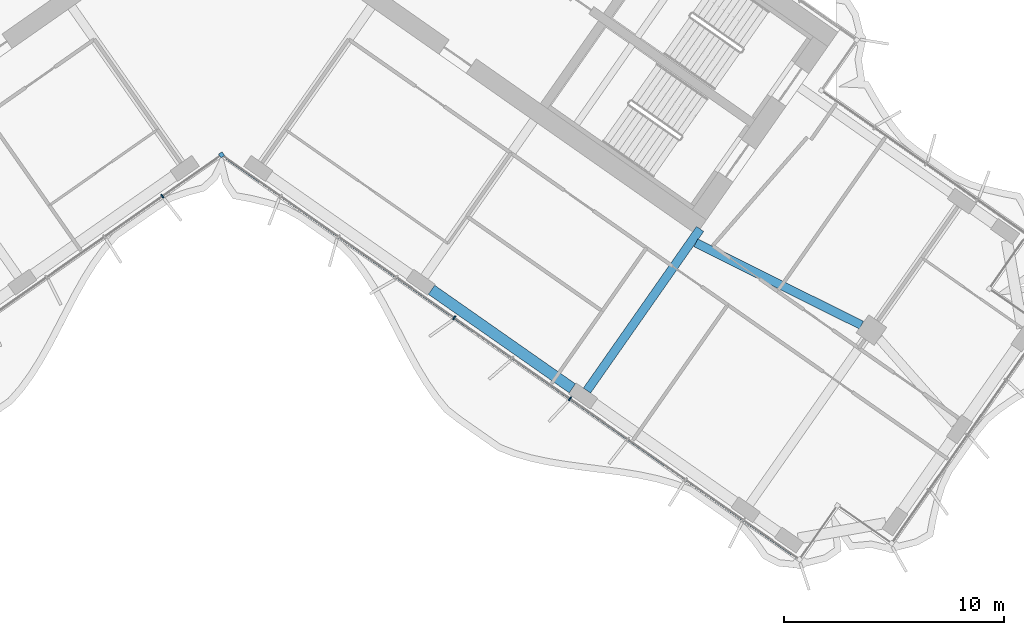
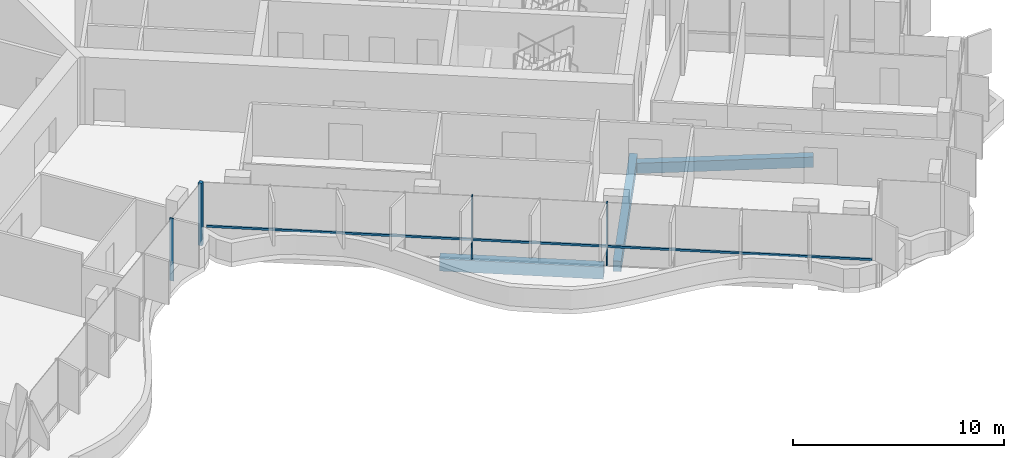
# One storey, part 6 of 23: 5 members, 3 beams, 1 element without a shape of its own.
"""IFC4 building model written with IfcOpenShell, lengths in metres."""

from ifc_helpers import new_model, si_unit, direction, frame, origin, origin_2d, place, context, subcontext, project, spatial, rectangle, extrude, material, material_profile, profile_set, type_object, element, aggregate, save


model = new_model("IFC4")

# Units and contexts
model_context = context("Model", 3, precision=1e-05, world=origin(), true_north=direction((0.0, 1.0)))
body_context = subcontext(model_context, "Body", "Model", "MODEL_VIEW")
ifc_project = project(units=[si_unit("LENGTHUNIT", "METRE"), si_unit("AREAUNIT", "SQUARE_METRE"), si_unit("VOLUMEUNIT", "CUBIC_METRE"), si_unit("PLANEANGLEUNIT", "RADIAN"), si_unit("MASSUNIT", "GRAM", prefix="KILO")], contexts=[model_context])

# Site, building, storey
site_placement = place(None, origin())
site = spatial("IfcSite", under=ifc_project, at=site_placement, CompositionType="ELEMENT")
building_placement = place(site_placement, origin())
building = spatial("IfcBuilding", under=site, at=building_placement, Name="Tel Ilan Convention Tower", CompositionType="ELEMENT")
storey_placement = place(building_placement, frame((0.0, 0.0, 174.89990234375)))
storey = spatial("IfcBuildingStorey", under=building, at=storey_placement, Name="L40", CompositionType="ELEMENT", Elevation=174.89990234375)

# Beams
ifc_material_1 = material(Name="Concrete C40/50", Category="concrete")
ifc_material_profile_1 = material_profile(ifc_material_1, rectangle(XDim=0.39990234375, YDim=0.60009765625, at=origin_2d()), Name="RC 400x600")
ifc_profile_set_1 = profile_set([ifc_material_profile_1], Name="Concrete C40/50")
beam_type_1 = type_object("IfcBeamType", Name="Beam RC 400x600 Concrete C40/50", PredefinedType="BEAM", material=ifc_profile_set_1)
beam_1_placement = place(storey_placement, frame((16.58203125, -23.391357421875, -0.579833984375), z_axis=(0.573584999642, 0.819146048141, 0.0), x_axis=(-0.819146048141, 0.573584999642, 0.0)))
element("IfcBeam", 1, at=beam_1_placement, inside=storey, type_object=beam_type_1, Name="L40 beam E-E-F3-core", PredefinedType="BEAM", context=body_context, shape_type="SweptSolid", body=[
    extrude(rectangle(XDim=0.39990234375, YDim=0.60009765625, at=origin_2d()), origin(), (0.0, 0.0, 1.0), 8.949951171875),
])
beam_2_placement = place(storey_placement, frame((21.52099609375, -16.686279296875, -0.579833984375), z_axis=(0.895402365524, -0.445257907076, 0.0), x_axis=(0.445257907076, 0.895402365524, 0.0)))
element("IfcBeam", 2, at=beam_2_placement, inside=storey, type_object=beam_type_1, Name="L40 beam E-core-E-M4", PredefinedType="BEAM", context=body_context, shape_type="SweptSolid", body=[
    extrude(rectangle(XDim=0.39990234375, YDim=0.60009765625, at=origin_2d()), origin(), (0.0, 0.0, 1.0), 8.3935546875),
])
ifc_material_2 = material(Name="Concrete C40/50", Category="concrete")
ifc_material_profile_2 = material_profile(ifc_material_2, rectangle(XDim=0.5, YDim=0.699951171875, at=origin_2d()), Name="RC 500x700")
ifc_profile_set_2 = profile_set([ifc_material_profile_2], Name="Concrete C40/50")
beam_type_2 = type_object("IfcBeamType", Name="Beam RC 500x700 Concrete C40/50", PredefinedType="BEAM", material=ifc_profile_set_2)
beam_3_placement = place(storey_placement, frame((9.529052734375, -18.819091796875, -0.6298828125), z_axis=(0.819153977895, -0.573573674866, 0.0), x_axis=(0.573573674866, 0.819153977895, 0.0)))
element("IfcBeam", 3, at=beam_3_placement, inside=storey, type_object=beam_type_2, Name="L40 beam E-E-F2-E-F3", PredefinedType="BEAM", context=body_context, shape_type="SweptSolid", body=[
    extrude(rectangle(XDim=0.5, YDim=0.699951171875, at=origin_2d()), origin(), (0.0, 0.0, 1.0), 7.800048828125),
])

# Curtain wall, members
ifc_material_3 = material(Name="Aluminium, bronze anodised", Category="aluminium")
curtain_wall_type = type_object("IfcCurtainWallType", Name="CW4 STICK CURTAIN WALL, OFFICE TINTED GLASS", PredefinedType="NOTDEFINED", material=ifc_material_3)
curtain_wall_placement = place(storey_placement, origin())
curtain_wall = element("IfcCurtainWall", 4, at=curtain_wall_placement, inside=storey, type_object=curtain_wall_type, Name="Curtain wall CW4-31.02", PredefinedType="NOTDEFINED")
ifc_material_4 = material(Name="Aluminium, bronze anodised", Category="aluminium")
ifc_material_profile_3 = material_profile(ifc_material_4, rectangle(XDim=0.199951171875, YDim=0.199951171875, at=origin_2d()), Name="CW CORNER MULLION 200x200")
ifc_profile_set_3 = profile_set([ifc_material_profile_3], Name="Aluminium, bronze anodised")
member_type_1 = type_object("IfcMemberType", Name="CW CORNER MULLION 200x200", PredefinedType="MULLION", material=ifc_profile_set_3)
member_1_placement = place(storey_placement, frame((0.0, -12.696044921875, 0.0), z_axis=(0.0, 0.0, 1.0), x_axis=(0.819152044289, 0.573576436351, 0.0)))
member_1 = element("IfcMember", 5, at=member_1_placement, type_object=member_type_1, Name="Corner mullion", PredefinedType="MULLION", context=body_context, shape_type="SweptSolid", body=[
    extrude(rectangle(XDim=0.199951171875, YDim=0.199951171875, at=origin_2d()), origin(), (0.0, 0.0, 1.0), 3.6201171875),
])
ifc_material_5 = material(Name="Aluminium, bronze anodised", Category="aluminium")
ifc_material_profile_4 = material_profile(ifc_material_5, rectangle(XDim=0.06005859375, YDim=0.199951171875, at=origin_2d()), Name="CW MULLION 60x200")
ifc_profile_set_4 = profile_set([ifc_material_profile_4], Name="Aluminium, bronze anodised")
member_type_2 = type_object("IfcMemberType", Name="CW MULLION 60x200", PredefinedType="MULLION", material=ifc_profile_set_4)
member_2_placement = place(storey_placement, frame((-2.6826171875, -14.574462890625, 0.0), z_axis=(0.0, 0.0, 1.0), x_axis=(0.819152044289, 0.573576436351, 0.0)))
member_2 = element("IfcMember", 6, at=member_2_placement, type_object=member_type_2, Name="Mullion", PredefinedType="MULLION", context=body_context, shape_type="SweptSolid", body=[
    extrude(rectangle(XDim=0.06005859375, YDim=0.199951171875, at=origin_2d()), origin(), (0.0, 0.0, 1.0), 3.6201171875),
])
member_3_placement = place(storey_placement, frame((10.55810546875, -20.0888671875, 0.0), z_axis=(0.0, 0.0, 1.0), x_axis=(0.819152044289, -0.573576436351, 0.0)))
member_3 = element("IfcMember", 7, at=member_3_placement, type_object=member_type_2, Name="Mullion", PredefinedType="MULLION", context=body_context, shape_type="SweptSolid", body=[
    extrude(rectangle(XDim=0.06005859375, YDim=0.199951171875, at=origin_2d()), origin(), (0.0, 0.0, 1.0), 3.6201171875),
])
member_4_placement = place(storey_placement, frame((15.80859375, -23.765380859375, 0.0), z_axis=(0.0, 0.0, 1.0), x_axis=(0.819152044289, -0.573576436351, 0.0)))
member_4 = element("IfcMember", 8, at=member_4_placement, type_object=member_type_2, Name="Mullion", PredefinedType="MULLION", context=body_context, shape_type="SweptSolid", body=[
    extrude(rectangle(XDim=0.06005859375, YDim=0.199951171875, at=origin_2d()), origin(), (0.0, 0.0, 1.0), 3.6201171875),
])
ifc_material_6 = material(Name="Aluminium, bronze anodised", Category="aluminium")
ifc_material_profile_5 = material_profile(ifc_material_6, rectangle(XDim=0.10009765625, YDim=0.1201171875, at=origin_2d()), Name="CW TRANSOM 100x120")
ifc_profile_set_5 = profile_set([ifc_material_profile_5], Name="Aluminium, bronze anodised")
member_type_3 = type_object("IfcMemberType", Name="CW TRANSOM 100x120", PredefinedType="USERDEFINED", material=ifc_profile_set_5)
member_5_placement = place(storey_placement, frame((0.22119140625, -12.850830078125, 1.10009765625), z_axis=(0.819149281128, -0.573580382534, 0.0), x_axis=(0.573580382534, 0.819149281128, 0.0)))
member_5 = element("IfcMember", 9, at=member_5_placement, type_object=member_type_3, Name="Transom", ObjectType="TRANSOM", PredefinedType="USERDEFINED", context=body_context, shape_type="SweptSolid", body=[
    extrude(rectangle(XDim=0.10009765625, YDim=0.1201171875, at=origin_2d()), origin(), (0.0, 0.0, 1.0), 31.64794921875),
])
aggregate(curtain_wall, [member_2, member_1, member_3, member_4, member_5])

save(model, "model.ifc")
